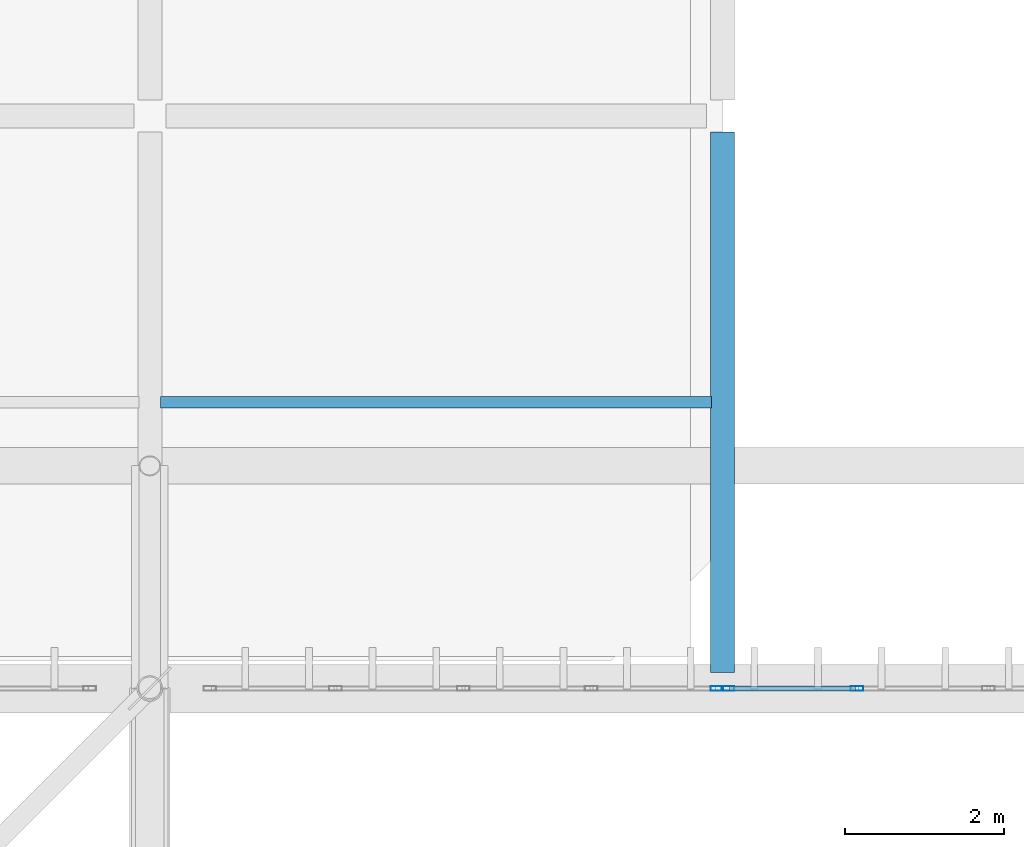
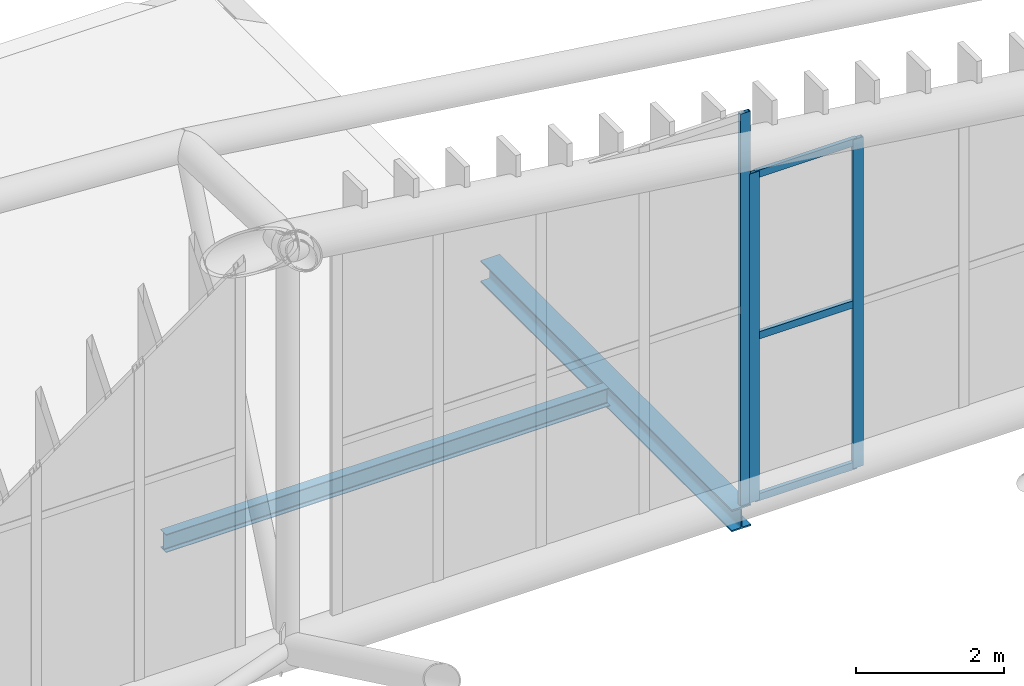
# One storey, part 332 of 397: 6 members, 2 beams, 2 elements without a shape of their own.
"""IFC4 building model written with IfcOpenShell, lengths in metres."""

from ifc_helpers import new_model, si_unit, direction, frame, origin, origin_2d, place, context, subcontext, project, spatial, hollow_rectangle, i_section, extrude, material, material_profile, profile_set, type_object, element, aggregate, save


model = new_model("IFC4")

# Units and contexts
model_context = context("Model", 3, precision=1e-05, world=origin(), true_north=direction((0.0, 1.0)))
body_context = subcontext(model_context, "Body", "Model", "MODEL_VIEW")
ifc_project = project(units=[si_unit("LENGTHUNIT", "METRE"), si_unit("AREAUNIT", "SQUARE_METRE"), si_unit("VOLUMEUNIT", "CUBIC_METRE"), si_unit("PLANEANGLEUNIT", "RADIAN"), si_unit("MASSUNIT", "GRAM", prefix="KILO")], contexts=[model_context])

# Site, building, storey
site_placement = place(None, origin())
site = spatial("IfcSite", under=ifc_project, at=site_placement, CompositionType="ELEMENT")
building_placement = place(site_placement, origin())
building = spatial("IfcBuilding", under=site, at=building_placement, Name="Qandorah Velis Arena", CompositionType="ELEMENT")
storey_placement = place(building_placement, frame((0.0, 0.0, 27.5)))
storey = spatial("IfcBuildingStorey", under=building, at=storey_placement, Name="RF", CompositionType="ELEMENT", Elevation=27.5)

# Curtain wall, member
ifc_material_1 = material(Name="Solar-control low-E double glazing", Category="glass")
curtain_wall_type_1 = type_object("IfcCurtainWallType", Name="ARC-CW-SYS06", PredefinedType="USERDEFINED", material=ifc_material_1)
curtain_wall_1_placement = place(storey_placement, origin())
curtain_wall_1 = element("IfcCurtainWall", 1, at=curtain_wall_1_placement, inside=storey, type_object=curtain_wall_type_1, Name="Unitised curtain wall CROWN-4-06S1", ObjectType="UNITISED CURTAIN WALL", PredefinedType="USERDEFINED")
ifc_material_2 = material(Name="Champagne-bronze anodized aluminium 6063-T6", Category="aluminium")
ifc_material_profile_1 = material_profile(ifc_material_2, hollow_rectangle(XDim=0.06005859375, YDim=0.159912109375, WallThickness=0.00341796875, at=origin_2d()), Name="ALU MULLION 60x160")
ifc_profile_set_1 = profile_set([ifc_material_profile_1], Name="Champagne-bronze anodized aluminium 6063-T6")
member_type_1 = type_object("IfcMemberType", Name="ARC-CWM-160", PredefinedType="MULLION", material=ifc_profile_set_1)
member_1_placement = place(storey_placement, frame((93.530029296875, 115.199951171875, -0.014892578125), z_axis=(0.0, 0.0, 1.0), x_axis=(0.0, 1.0, 0.0)))
member_1 = element("IfcMember", 2, at=member_1_placement, type_object=member_type_1, Name="CW06 mullion 5", PredefinedType="MULLION", context=body_context, shape_type="SweptSolid", body=[
    extrude(hollow_rectangle(XDim=0.06005859375, YDim=0.159912109375, WallThickness=0.00341796875, at=origin_2d()), origin(), (0.0, 0.0, 1.0), 6.469482421875),
])
aggregate(curtain_wall_1, [member_1])

# Curtain wall, members
curtain_wall_type_2 = type_object("IfcCurtainWallType", Name="ARC-CW-SYS07", PredefinedType="USERDEFINED", material=ifc_material_1)
curtain_wall_2_placement = place(storey_placement, origin())
curtain_wall_2 = element("IfcCurtainWall", 3, at=curtain_wall_2_placement, inside=storey, type_object=curtain_wall_type_2, Name="Unitised curtain wall CROWN-4-06S2", ObjectType="UNITISED CURTAIN WALL", PredefinedType="USERDEFINED")
member_2_placement = place(storey_placement, frame((93.669921875, 115.199951171875, -0.014892578125), z_axis=(0.0, 0.0, 1.0), x_axis=(0.0, 1.0, 0.0)))
member_2 = element("IfcMember", 4, at=member_2_placement, type_object=member_type_1, Name="CW07 mullion 1", PredefinedType="MULLION", context=body_context, shape_type="SweptSolid", body=[
    extrude(hollow_rectangle(XDim=0.06005859375, YDim=0.159912109375, WallThickness=0.00341796875, at=origin_2d()), origin(), (0.0, 0.0, 1.0), 5.430908203125),
])
member_3_placement = place(storey_placement, frame((95.29248046875, 115.199951171875, -0.014892578125), z_axis=(0.0, 0.0, 1.0), x_axis=(0.0, 1.0, 0.0)))
member_3 = element("IfcMember", 5, at=member_3_placement, type_object=member_type_1, Name="CW07 mullion 2", PredefinedType="MULLION", context=body_context, shape_type="SweptSolid", body=[
    extrude(hollow_rectangle(XDim=0.06005859375, YDim=0.159912109375, WallThickness=0.00341796875, at=origin_2d()), origin(), (0.0, 0.0, 1.0), 5.430908203125),
])
ifc_material_profile_2 = material_profile(ifc_material_2, hollow_rectangle(XDim=0.06005859375, YDim=0.1201171875, WallThickness=0.0029296875, at=origin_2d()), Name="ALU TRANSOM 60x120")
ifc_profile_set_2 = profile_set([ifc_material_profile_2], Name="Champagne-bronze anodized aluminium 6063-T6")
member_type_2 = type_object("IfcMemberType", Name="ARC-CWT-120", PredefinedType="USERDEFINED", material=ifc_profile_set_2)
member_4_placement = place(storey_placement, frame((93.68798828125, 115.199951171875, 0.030029296875), z_axis=(1.0, 0.0, 0.0), x_axis=(0.0, 1.0, 0.0)))
member_4 = element("IfcMember", 6, at=member_4_placement, type_object=member_type_2, Name="CW07 transom 1.1", ObjectType="TRANSOM", PredefinedType="USERDEFINED", context=body_context, shape_type="SweptSolid", body=[
    extrude(hollow_rectangle(XDim=0.06005859375, YDim=0.1201171875, WallThickness=0.0029296875, at=origin_2d()), origin(), (0.0, 0.0, 1.0), 1.58642578125),
])
member_5_placement = place(storey_placement, frame((93.68798828125, 115.199951171875, 2.700439453125), z_axis=(1.0, 0.0, 0.0), x_axis=(0.0, 1.0, 0.0)))
member_5 = element("IfcMember", 7, at=member_5_placement, type_object=member_type_2, Name="CW07 transom 1.2", ObjectType="TRANSOM", PredefinedType="USERDEFINED", context=body_context, shape_type="SweptSolid", body=[
    extrude(hollow_rectangle(XDim=0.06005859375, YDim=0.1201171875, WallThickness=0.0029296875, at=origin_2d()), origin(), (0.0, 0.0, 1.0), 1.58642578125),
])
member_6_placement = place(storey_placement, frame((93.68798828125, 115.199951171875, 5.370849609375), z_axis=(1.0, 0.0, 0.0), x_axis=(0.0, 1.0, 0.0)))
member_6 = element("IfcMember", 8, at=member_6_placement, type_object=member_type_2, Name="CW07 transom 1.3", ObjectType="TRANSOM", PredefinedType="USERDEFINED", context=body_context, shape_type="SweptSolid", body=[
    extrude(hollow_rectangle(XDim=0.06005859375, YDim=0.1201171875, WallThickness=0.0029296875, at=origin_2d()), origin(), (0.0, 0.0, 1.0), 1.58642578125),
])
aggregate(curtain_wall_2, [member_2, member_3, member_4, member_5, member_6])

# Beams
ifc_material_3 = material(Name="Steel S355", Category="steel")
ifc_material_profile_3 = material_profile(ifc_material_3, i_section(OverallWidth=0.300048828125, OverallDepth=0.360107421875, WebThickness=0.012451171875, FlangeThickness=0.0224609375, FilletRadius=0.027099609375, at=origin_2d()), Name="HEB 360")
ifc_profile_set_3 = profile_set([ifc_material_profile_3], Name="Steel S355")
beam_type_1 = type_object("IfcBeamType", Name="STR-BM-HEB360", PredefinedType="BEAM", material=ifc_profile_set_3)
beam_1_placement = place(storey_placement, frame((93.60009765625, 115.39990234375, -0.39990234375), z_axis=(0.0, 1.0, 0.0), x_axis=(-1.0, 0.0, 0.0)))
element("IfcBeam", 9, at=beam_1_placement, inside=storey, type_object=beam_type_1, Name="Primary floor girder RF Y-125", PredefinedType="BEAM", context=body_context, shape_type="SweptSolid", body=[
    extrude(i_section(OverallWidth=0.300048828125, OverallDepth=0.360107421875, WebThickness=0.012451171875, FlangeThickness=0.0224609375, FilletRadius=0.027099609375, at=origin_2d()), origin(), (0.0, 0.0, 1.0), 6.800048828125),
])
ifc_material_profile_4 = material_profile(ifc_material_3, i_section(OverallWidth=0.14990234375, OverallDepth=0.300048828125, WebThickness=0.007080078125, FlangeThickness=0.0107421875, FilletRadius=0.014892578125, at=origin_2d()), Name="IPE 300")
ifc_profile_set_4 = profile_set([ifc_material_profile_4], Name="Steel S355")
beam_type_2 = type_object("IfcBeamType", Name="STR-JST-IPE300", PredefinedType="JOIST", material=ifc_profile_set_4)
beam_2_placement = place(storey_placement, frame((86.534912109375, 118.800048828125, -0.3701171875), z_axis=(1.0, 0.0, 0.0), x_axis=(0.0, 1.0, 0.0)))
element("IfcBeam", 10, at=beam_2_placement, inside=storey, type_object=beam_type_2, Name="Secondary floor joist RF-047", PredefinedType="JOIST", context=body_context, shape_type="SweptSolid", body=[
    extrude(i_section(OverallWidth=0.14990234375, OverallDepth=0.300048828125, WebThickness=0.007080078125, FlangeThickness=0.0107421875, FilletRadius=0.014892578125, at=origin_2d()), origin(), (0.0, 0.0, 1.0), 6.93017578125),
])

save(model, "model.ifc")
